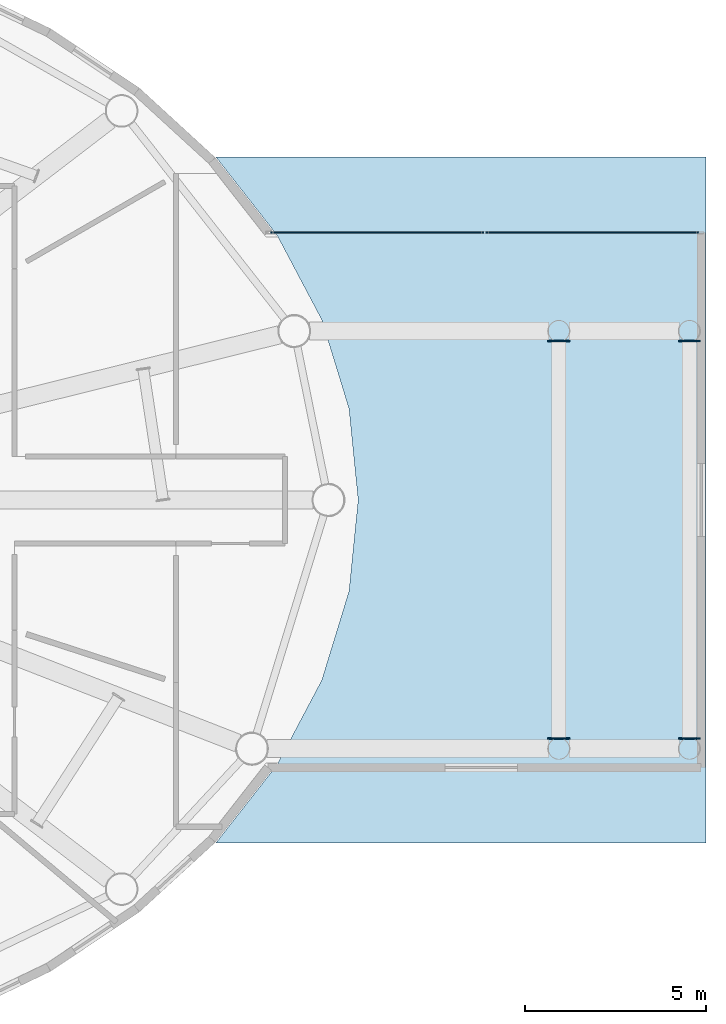
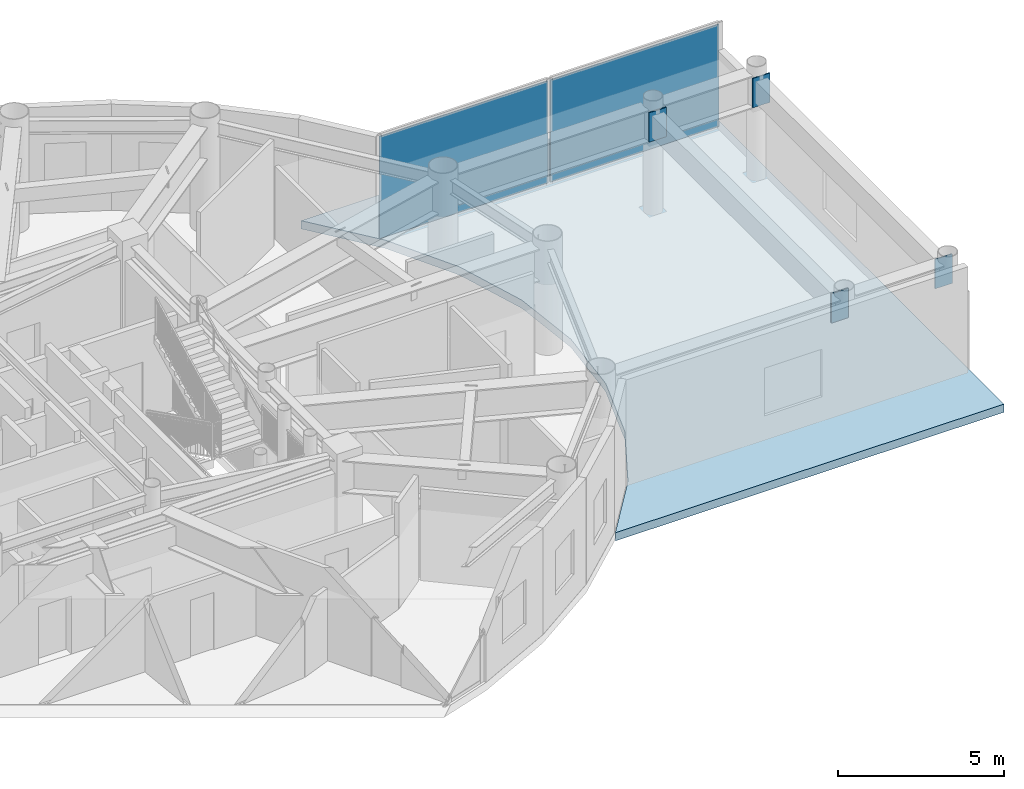
# One storey, part 14 of 26: 6 plates, 1 slab, 1 element without a shape of its own.
"""IFC4 building model written with IfcOpenShell, lengths in metres."""

from ifc_helpers import new_model, si_unit, direction, frame, origin, origin_2d, place, context, subcontext, project, spatial, polyline, rectangle, outline, extrude, source, transform, mapped, material, layer, layer_set, type_object, element, aggregate, save


model = new_model("IFC4")

# Units and contexts
model_context = context("Model", 3, precision=1e-05, world=origin(), true_north=direction((0.0, 1.0)))
body_context = subcontext(model_context, "Body", "Model", "MODEL_VIEW")
ifc_project = project(units=[si_unit("LENGTHUNIT", "METRE"), si_unit("AREAUNIT", "SQUARE_METRE"), si_unit("VOLUMEUNIT", "CUBIC_METRE"), si_unit("PLANEANGLEUNIT", "RADIAN"), si_unit("MASSUNIT", "GRAM", prefix="KILO")], contexts=[model_context])

# Site, building, storey
site_placement = place(None, origin())
site = spatial("IfcSite", under=ifc_project, at=site_placement, CompositionType="ELEMENT")
building_placement = place(site_placement, origin())
building = spatial("IfcBuilding", under=site, at=building_placement, Name="Linh Dai School and Residence Tower", CompositionType="ELEMENT")
storey_placement = place(building_placement, frame((0.0, 0.0, 346.800048828125)))
storey = spatial("IfcBuildingStorey", under=building, at=storey_placement, Name="L86", CompositionType="ELEMENT", Elevation=346.800048828125)

# Slab
ifc_material_1 = material(Name="Concrete B45 (C35/45)", Category="concrete")
ifc_layer_1 = layer(ifc_material_1, 0.300048828125)
ifc_layer_set_1 = layer_set([ifc_layer_1], Name="Concrete B45 (C35/45)")
slab_type = type_object("IfcSlabType", Name="SLB-FLR300", PredefinedType="FLOOR", material=ifc_layer_set_1)
slab_placement = place(storey_placement, frame((0.0, 0.0, -0.300048828125)))
element("IfcSlab", 1, at=slab_placement, inside=storey, type_object=slab_type, Name="L86 Cantilevered East Sky Lounge Floor Slab", PredefinedType="FLOOR", context=body_context, shape_type="SweptSolid", body=[
    extrude(outline(polyline([(52.60107421875, 17.55126953125), (66.10009765625, 17.55126953125), (66.10009765625, 36.44873046875), (52.60107421875, 36.44873046875), (54.283447265625, 34.2978515625), (55.515625, 31.967529296875), (56.267333984375, 29.5146484375), (56.52001953125, 27.0), (56.267333984375, 24.4853515625), (55.515625, 22.032470703125), (54.283447265625, 19.7021484375), (52.60107421875, 17.55126953125), (52.60107421875, 17.55126953125)])), origin(), (0.0, 0.0, 1.0), 0.300048828125),
])

# Plates
ifc_material_2 = material(Name="Structural Steel S355JR", Category="steel")
ifc_layer_2 = layer(ifc_material_2, 0.0400390625)
ifc_layer_set_2 = layer_set([ifc_layer_2], Name="Structural Steel S355JR")
plate_type_1 = type_object("IfcPlateType", Name="PLT-GP1", PredefinedType="USERDEFINED", material=ifc_layer_set_2)
shared_shape_1 = source(origin(), body_context, "Body", "SweptSolid", [
    extrude(rectangle(XDim=0.60009765625, YDim=0.0400390625, at=origin_2d()), origin(), (0.0, 0.0, 1.0), 1.080078125),
])
for number, where, z_axis, x_axis, name in (
    (2, (62.050048828125, 20.42236328125, 2.760009765625), (0.0, 0.0, 1.0), (1.0, 0.0, 0.0), "L86 Sky-Lounge Transverse Girder End Plate MID-S"),
    (3, (62.050048828125, 31.379638671875, 2.760009765625), (0.0, 0.0, 1.0), (1.0, 0.0, 0.0), "L86 Sky-Lounge Transverse Girder End Plate MID-N"),
    (4, (65.64990234375, 20.42236328125, 2.760009765625), (0.0, 0.0, 1.0), (1.0, 0.0, 0.0), "L86 Sky-Lounge Transverse Girder End Plate TIP-S"),
    (5, (65.64990234375, 31.379638671875, 2.760009765625), (0.0, 0.0, 1.0), (1.0, 0.0, 0.0), "L86 Sky-Lounge Transverse Girder End Plate TIP-N"),
):
    element("IfcPlate", number, at=place(storey_placement, frame(where, z_axis=z_axis, x_axis=x_axis)), inside=storey, type_object=plate_type_1, Name=name, ObjectType="GUSSET PLATE", PredefinedType="USERDEFINED", context=body_context, shape_type="MappedRepresentation", body=[
        mapped(shared_shape_1, transform((0.0, 0.0, 0.0), x_axis=(1.0, 0.0, 0.0), y_axis=(0.0, 1.0, 0.0), z_axis=(0.0, 0.0, 1.0), scale=1.0)),
    ])

# Curtain wall, plates
ifc_material_3 = material(Name="Aluminium Anodised Curtain Wall", Category="aluminium")
ifc_layer_3 = layer(ifc_material_3, 0.199951171875)
ifc_layer_set_3 = layer_set([ifc_layer_3], Name="Aluminium Anodised Curtain Wall")
curtain_wall_type = type_object("IfcCurtainWallType", Name="CW-SYS-6", PredefinedType="USERDEFINED", material=ifc_layer_set_3)
curtain_wall_placement = place(storey_placement, origin())
curtain_wall = element("IfcCurtainWall", 6, at=curtain_wall_placement, inside=storey, type_object=curtain_wall_type, Name="L86 CW6 Curtain Wall 03", ObjectType="UNITISED CURTAIN WALL", PredefinedType="USERDEFINED")
ifc_material_4 = material(Name="Double Low-E Insulated Glazing", Category="glass")
ifc_layer_4 = layer(ifc_material_4, 0.035888671875)
ifc_layer_set_4 = layer_set([ifc_layer_4], Name="Double Low-E Insulated Glazing")
plate_type_2 = type_object("IfcPlateType", Name="CW-SYS-6-PAN", PredefinedType="CURTAIN_PANEL", material=ifc_layer_set_4)
shared_shape_2 = source(origin(), body_context, "Body", "SweptSolid", [
    extrude(rectangle(XDim=5.85498046875, YDim=0.035888671875, at=origin_2d()), origin(), (0.0, 0.0, 1.0), 3.75),
])
plate_1_placement = place(storey_placement, frame((57.04248046875, 34.375, 0.074951171875), z_axis=(0.0, 0.0, 1.0), x_axis=(1.0, 0.0, 0.0)))
plate_1 = element("IfcPlate", 7, at=plate_1_placement, type_object=plate_type_2, Name="CW6 panel 1.1", PredefinedType="CURTAIN_PANEL", context=body_context, shape_type="MappedRepresentation", body=[
    mapped(shared_shape_2, transform((0.0, 0.0, 0.0), x_axis=(1.0, 0.0, 0.0), y_axis=(0.0, 1.0, 0.0), z_axis=(0.0, 0.0, 1.0), scale=1.0)),
])
plate_2_placement = place(storey_placement, frame((62.972412109375, 34.375, 0.074951171875), z_axis=(0.0, 0.0, 1.0), x_axis=(1.0, 0.0, 0.0)))
plate_2 = element("IfcPlate", 8, at=plate_2_placement, type_object=plate_type_2, Name="CW6 panel 2.1", PredefinedType="CURTAIN_PANEL", context=body_context, shape_type="MappedRepresentation", body=[
    mapped(shared_shape_2, transform((0.0, 0.0, 0.0), x_axis=(1.0, 0.0, 0.0), y_axis=(0.0, 1.0, 0.0), z_axis=(0.0, 0.0, 1.0), scale=1.0)),
])
aggregate(curtain_wall, [plate_1, plate_2])

save(model, "model.ifc")
